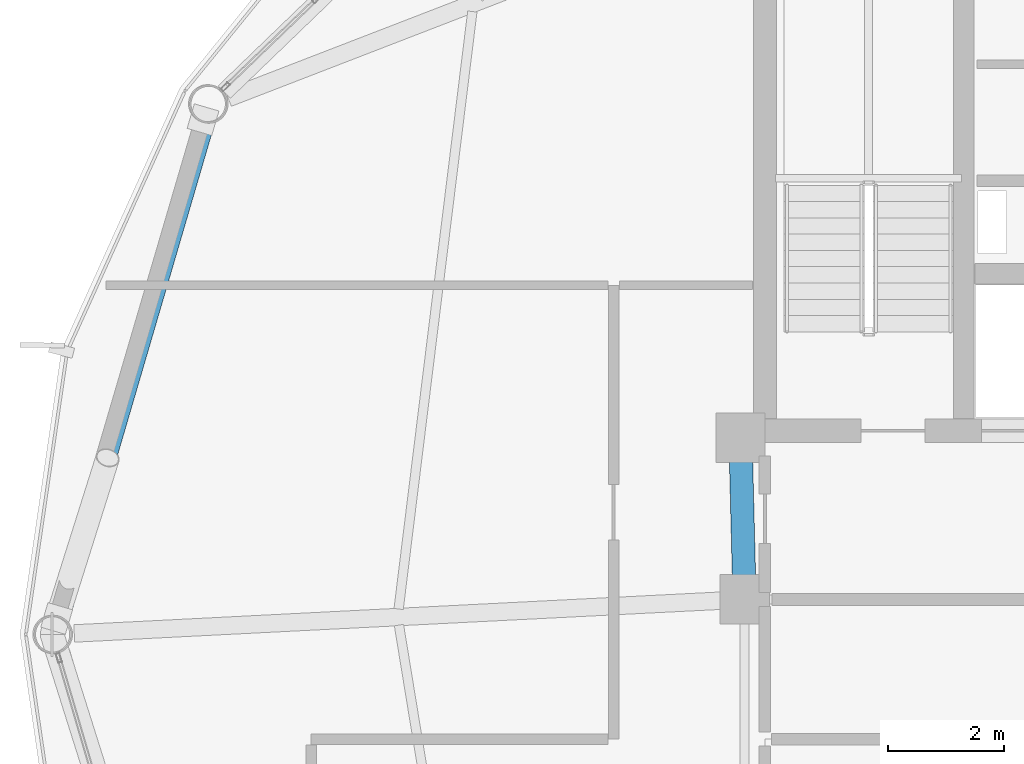
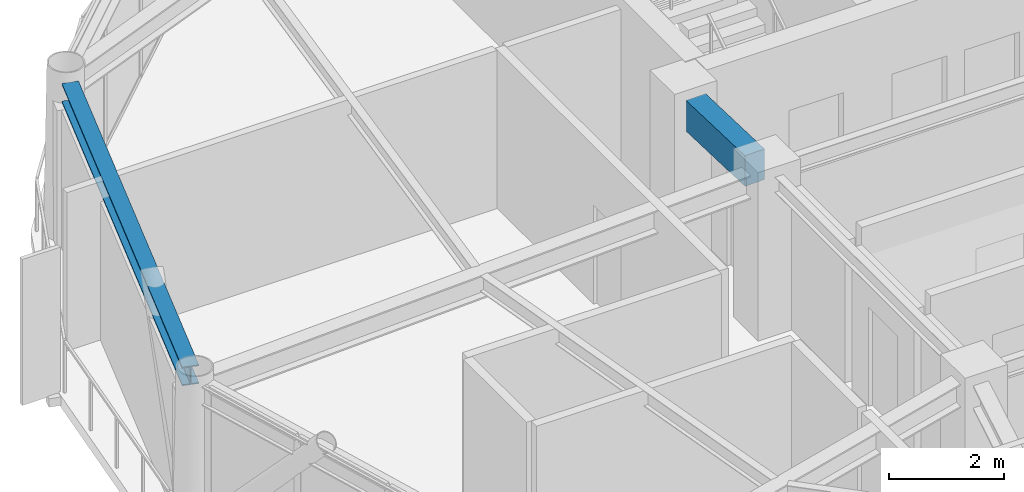
# One storey, part 11 of 28: 2 beams.
"""IFC4 building model written with IfcOpenShell, lengths in metres."""

from ifc_helpers import new_model, si_unit, direction, frame, origin, origin_2d, place, context, subcontext, project, spatial, rectangle, i_section, extrude, material, material_profile, profile_set, type_object, element, save


model = new_model("IFC4")

# Units and contexts
model_context = context("Model", 3, precision=1e-05, world=origin(), true_north=direction((0.0, 1.0)))
body_context = subcontext(model_context, "Body", "Model", "MODEL_VIEW")
ifc_project = project(units=[si_unit("LENGTHUNIT", "METRE"), si_unit("AREAUNIT", "SQUARE_METRE"), si_unit("VOLUMEUNIT", "CUBIC_METRE"), si_unit("PLANEANGLEUNIT", "RADIAN"), si_unit("MASSUNIT", "GRAM", prefix="KILO")], contexts=[model_context])

# Site, building, storey
site_placement = place(None, origin())
site = spatial("IfcSite", under=ifc_project, at=site_placement, CompositionType="ELEMENT")
building_placement = place(site_placement, origin())
building = spatial("IfcBuilding", under=site, at=building_placement, Name="Varnakorn Sky Granary", CompositionType="ELEMENT")
storey_placement = place(building_placement, frame((0.0, 0.0, 214.800048828125)))
storey = spatial("IfcBuildingStorey", under=building, at=storey_placement, Name="L54", CompositionType="ELEMENT", Elevation=214.800048828125)

# Beams
ifc_material_1 = material(Name="Concrete C50/60", Category="concrete")
ifc_material_profile_1 = material_profile(ifc_material_1, rectangle(XDim=0.39990234375, YDim=0.64990234375, at=origin_2d()), Name="RC 400x650")
ifc_profile_set_1 = profile_set([ifc_material_profile_1], Name="Concrete C50/60")
beam_type_1 = type_object("IfcBeamType", Name="BM-LIN-650", PredefinedType="LINTEL", material=ifc_profile_set_1)
beam_1_placement = place(storey_placement, frame((-2.409912109375, 2.97509765625, 3.034912109375), z_axis=(0.025270737467, -0.99968064392, 0.0), x_axis=(0.99968064392, 0.025270737467, 0.0)))
element("IfcBeam", 1, at=beam_1_placement, inside=storey, type_object=beam_type_1, Name="Core Spine Framing Beam 1 L54", PredefinedType="LINTEL", context=body_context, shape_type="SweptSolid", body=[
    extrude(rectangle(XDim=0.39990234375, YDim=0.64990234375, at=origin_2d()), origin(), (0.0, 0.0, 1.0), 1.970947265625),
])
ifc_material_2 = material(Name="Steel S355JR", Category="steel")
ifc_material_profile_2 = material_profile(ifc_material_2, i_section(OverallWidth=0.300048828125, OverallDepth=0.39990234375, WebThickness=0.013427734375, FlangeThickness=0.02392578125, at=origin_2d()), Name="HE 400 B")
ifc_profile_set_2 = profile_set([ifc_material_profile_2], Name="Steel S355JR")
beam_type_2 = type_object("IfcBeamType", Name="BM-SPD-Z4", PredefinedType="SPANDREL", material=ifc_profile_set_2)
beam_2_placement = place(storey_placement, frame((-11.608154296875, 8.80224609375, 3.159912109375), z_axis=(-0.281151394654, -0.959663427085, 0.0), x_axis=(0.959663427085, -0.281151394654, 0.0)))
element("IfcBeam", 2, at=beam_2_placement, inside=storey, type_object=beam_type_2, Name="Perimeter Spandrel Ring Beam RB06 L54", PredefinedType="SPANDREL", context=body_context, shape_type="SweptSolid", body=[
    extrude(i_section(OverallWidth=0.300048828125, OverallDepth=0.39990234375, WebThickness=0.013427734375, FlangeThickness=0.02392578125, at=origin_2d()), origin(), (0.0, 0.0, 1.0), 8.857177734375),
])

save(model, "model.ifc")
